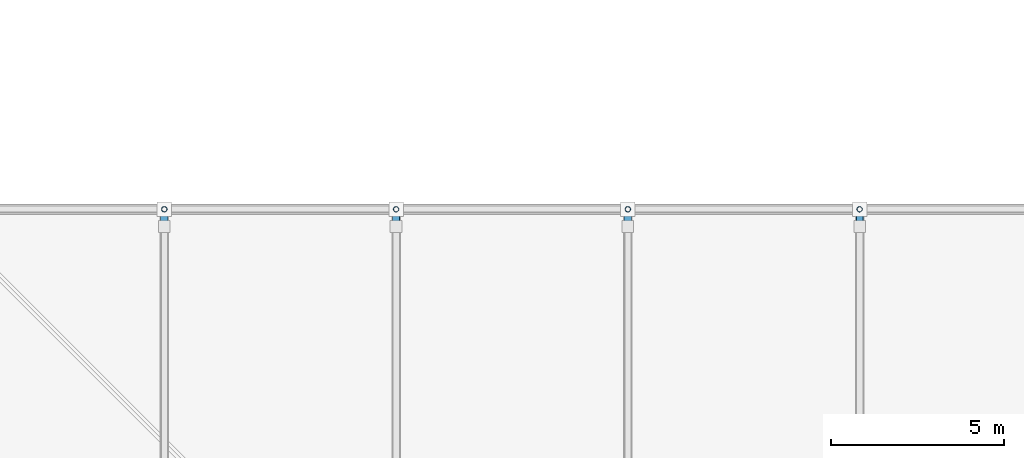
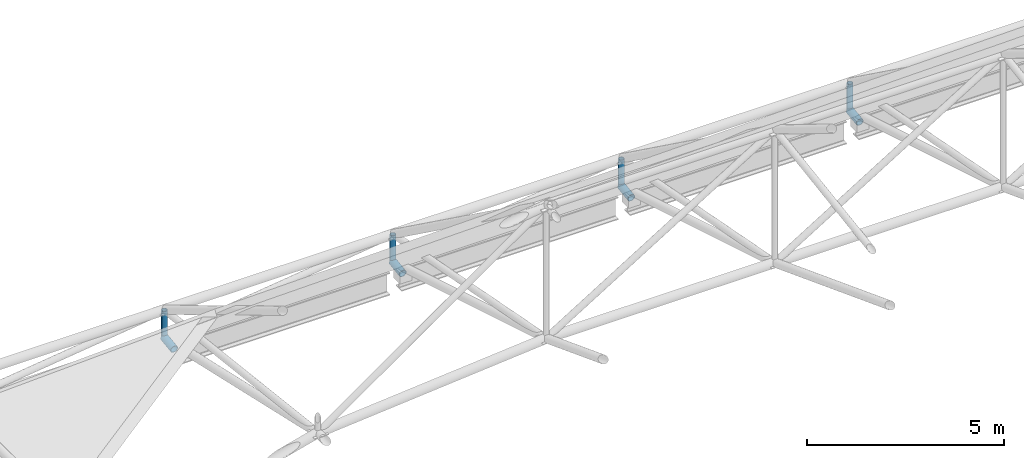
# One storey, part 49 of 77: 8 members.
"""IFC4 building model written with IfcOpenShell, lengths in metres."""

from ifc_helpers import new_model, si_unit, direction, frame, origin, origin_2d, place, context, subcontext, project, spatial, hollow_circle, extrude, material, material_profile, profile_set, type_object, element, save


model = new_model("IFC4")

# Units and contexts
model_context = context("Model", 3, precision=1e-05, world=origin(), true_north=direction((0.0, 1.0)))
body_context = subcontext(model_context, "Body", "Model", "MODEL_VIEW")
ifc_project = project(units=[si_unit("LENGTHUNIT", "METRE"), si_unit("AREAUNIT", "SQUARE_METRE"), si_unit("VOLUMEUNIT", "CUBIC_METRE"), si_unit("PLANEANGLEUNIT", "RADIAN"), si_unit("MASSUNIT", "GRAM", prefix="KILO")], contexts=[model_context])

# Site, building, storey
site_placement = place(None, origin())
site = spatial("IfcSite", under=ifc_project, at=site_placement, CompositionType="ELEMENT")
building_placement = place(site_placement, origin())
building = spatial("IfcBuilding", under=site, at=building_placement, Name="Nabrawat Pavilion Hospital", CompositionType="ELEMENT")
storey_placement = place(building_placement, frame((0.0, 0.0, 14.85009765625)))
storey = spatial("IfcBuildingStorey", under=building, at=storey_placement, Name="L03", CompositionType="ELEMENT", Elevation=14.85009765625)

# Members
ifc_material = material(Name="Steel S355", Category="steel")
ifc_material_profile_1 = material_profile(ifc_material, hollow_circle(Radius=0.109619140625, WallThickness=0.012451171875, at=origin_2d()), Name="CHS 219.1x12.5")
ifc_profile_set_1 = profile_set([ifc_material_profile_1], Name="Steel S355")
member_type_1 = type_object("IfcMemberType", Name="Space Frame Overhanging Eave Strut CHS 219.1x12.5", PredefinedType="STRUT", material=ifc_profile_set_1)
for number, where, z_axis, x_axis, name in (
    (1, (65.6279296875, 39.0, -0.050048828125), (0.0, -0.990323146751, -0.138780636288), (1.0, 0.0, 0.0), "Space Frame Overhanging Eave Strut North 0267"),
    (2, (72.3359375, 39.0, -0.050048828125), (0.0, -0.990323146751, -0.138780636288), (1.0, 0.0, 0.0), "Space Frame Overhanging Eave Strut North 0269"),
    (3, (79.0439453125, 39.0, -0.050048828125), (0.0, -0.990323146751, -0.138780636288), (1.0, 0.0, 0.0), "Space Frame Overhanging Eave Strut North 0271"),
    (4, (85.751953125, 39.0, -0.050048828125), (0.0, -0.990323146751, -0.138780636288), (1.0, 0.0, 0.0), "Space Frame Overhanging Eave Strut North 0273"),
):
    element("IfcMember", number, at=place(storey_placement, frame(where, z_axis=z_axis, x_axis=x_axis)), inside=storey, type_object=member_type_1, Name=name, PredefinedType="STRUT", context=body_context, shape_type="SweptSolid", body=[
        extrude(hollow_circle(Radius=0.109619140625, WallThickness=0.012451171875, at=origin_2d()), origin(), (0.0, 0.0, 1.0), 0.5048828125),
    ])
ifc_material_profile_2 = material_profile(ifc_material, hollow_circle(Radius=0.07958984375, WallThickness=0.008056640625, at=origin_2d()), Name="CHS 159x8")
ifc_profile_set_2 = profile_set([ifc_material_profile_2], Name="Steel S355")
member_type_2 = type_object("IfcMemberType", Name="Space Frame Vertical Web Post CHS 159x8", PredefinedType="BRACE", material=ifc_profile_set_2)
for number, where, z_axis, x_axis, name in (
    (5, (65.6279296875, 39.0, -0.050048828125), (0.0, 0.0, 1.0), (1.0, 0.0, 0.0), "Space Frame Diagonal Post 0049"),
    (6, (72.3359375, 39.0, -0.050048828125), (0.0, 0.0, 1.0), (1.0, 0.0, 0.0), "Space Frame Diagonal Post 0074"),
    (7, (79.0439453125, 39.0, -0.050048828125), (0.0, 0.0, 1.0), (1.0, 0.0, 0.0), "Space Frame Diagonal Post 0099"),
    (8, (85.751953125, 39.0, -0.050048828125), (0.0, 0.0, 1.0), (1.0, 0.0, 0.0), "Space Frame Diagonal Post 0124"),
):
    element("IfcMember", number, at=place(storey_placement, frame(where, z_axis=z_axis, x_axis=x_axis)), inside=storey, type_object=member_type_2, Name=name, PredefinedType="BRACE", context=body_context, shape_type="SweptSolid", body=[
        extrude(hollow_circle(Radius=0.07958984375, WallThickness=0.008056640625, at=origin_2d()), origin(), (0.0, 0.0, 1.0), 0.849853515625),
    ])

save(model, "model.ifc")
